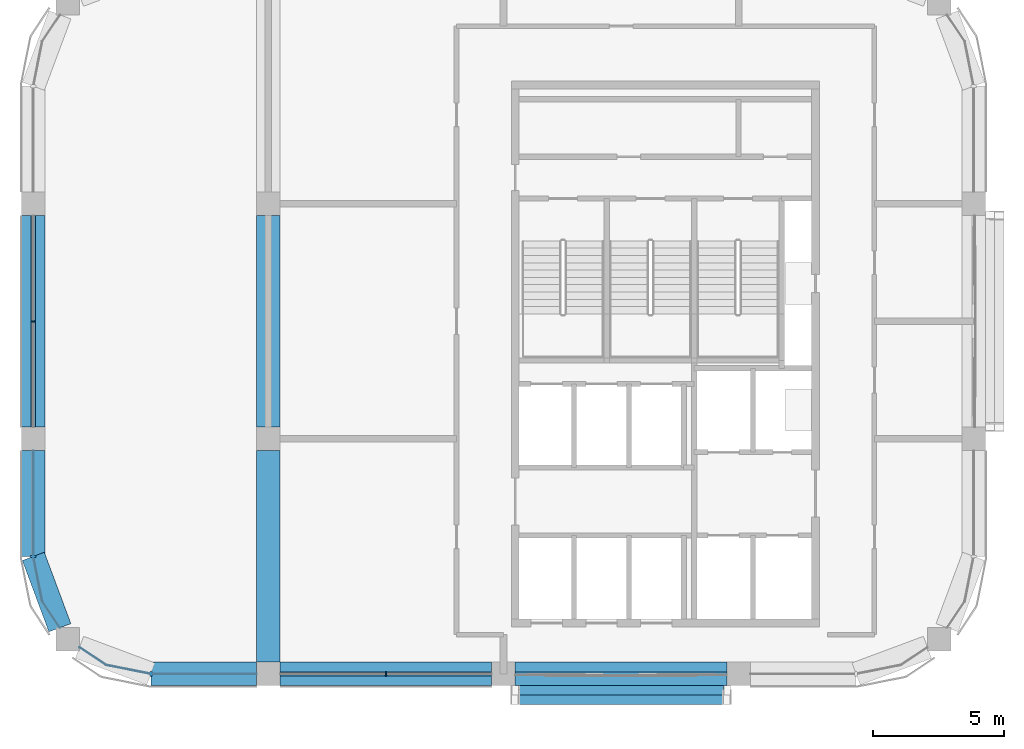
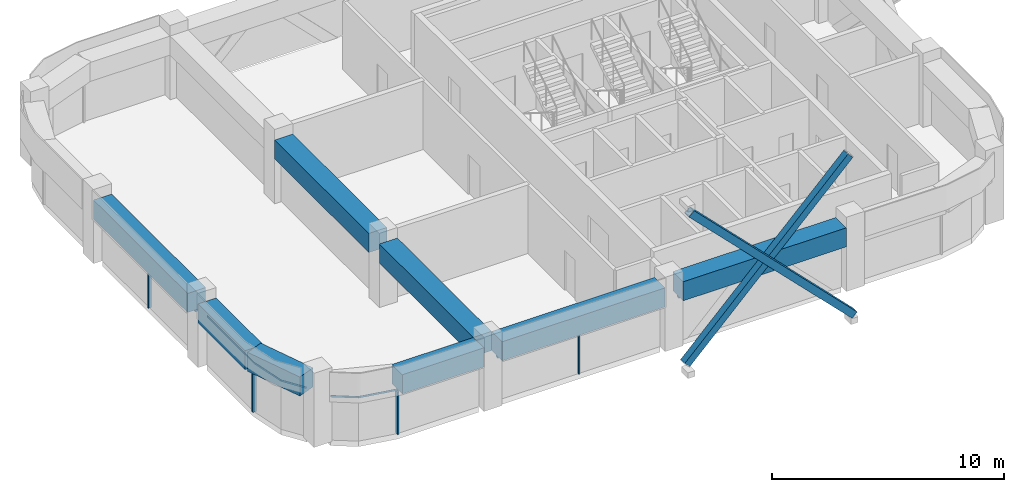
# One storey, part 2 of 9: 11 members, 8 beams, 5 elements without a shape of their own.
"""IFC4 building model written with IfcOpenShell, lengths in metres."""

from ifc_helpers import new_model, si_unit, direction, frame, origin, origin_2d, place, context, subcontext, project, spatial, polyline, rectangle, hollow_rectangle, outline, extrude, material, material_profile, profile_set, type_object, element, aggregate, save


model = new_model("IFC4")

# Units and contexts
model_context = context("Model", 3, precision=1e-05, world=origin(), true_north=direction((0.0, 1.0)))
body_context = subcontext(model_context, "Body", "Model", "MODEL_VIEW")
ifc_project = project(units=[si_unit("LENGTHUNIT", "METRE"), si_unit("AREAUNIT", "SQUARE_METRE"), si_unit("VOLUMEUNIT", "CUBIC_METRE"), si_unit("PLANEANGLEUNIT", "RADIAN"), si_unit("MASSUNIT", "GRAM", prefix="KILO")], contexts=[model_context])

# Site, building, storey
site_placement = place(None, origin())
site = spatial("IfcSite", under=ifc_project, at=site_placement, CompositionType="ELEMENT")
building_placement = place(site_placement, origin())
building = spatial("IfcBuilding", under=site, at=building_placement, Name="Tessera Arch", CompositionType="ELEMENT")
storey_placement = place(building_placement, frame((0.0, 0.0, 316.800048828125)))
storey = spatial("IfcBuildingStorey", under=building, at=storey_placement, Name="L76", CompositionType="ELEMENT", Elevation=316.800048828125)

# Members
ifc_material_1 = material(Name="Steel A500 Gr C", Category="steel")
ifc_material_profile_1 = material_profile(ifc_material_1, hollow_rectangle(XDim=0.355712890625, YDim=0.355712890625, WallThickness=0.01171875, at=origin_2d()), Name="HSS14x14x1/2")
ifc_profile_set_1 = profile_set([ifc_material_profile_1], Name="Steel A500 Gr C")
member_type_1 = type_object("IfcMemberType", Name="Brace HSS14x14x1/2 Steel A500 Gr C", PredefinedType="BRACE", material=ifc_profile_set_1)
for number, where, z_axis, x_axis, name in (
    (1, (36.449951171875, 26.372314453125, -0.800048828125), (0.704936255944, 0.0, 0.709270664173), (0.0, 1.0, 0.0), "Brace S27.18-2 A L76-L77"),
    (2, (44.550048828125, 26.0166015625, -0.800048828125), (-0.704936255944, 0.0, 0.709270664173), (0.0, -1.0, 0.0), "Brace S27.18-2 B L76-L77"),
):
    element("IfcMember", number, at=place(storey_placement, frame(where, z_axis=z_axis, x_axis=x_axis)), inside=storey, type_object=member_type_1, Name=name, PredefinedType="BRACE", context=body_context, shape_type="SweptSolid", body=[
        extrude(hollow_rectangle(XDim=0.355712890625, YDim=0.355712890625, WallThickness=0.01171875, at=origin_2d()), origin(), (0.0, 0.0, 1.0), 11.490478515625),
    ])

# Curtain wall, member
ifc_material_2 = material(Name="CW1 curtain wall")
curtain_wall_type_1 = type_object("IfcCurtainWallType", Name="CW1 curtain wall", PredefinedType="NOTDEFINED", material=ifc_material_2)
curtain_wall_1_placement = place(storey_placement, origin())
curtain_wall_1 = element("IfcCurtainWall", 3, at=curtain_wall_1_placement, inside=storey, type_object=curtain_wall_type_1, Name="CW1 curtain wall W18.27/1 L76", PredefinedType="NOTDEFINED")
ifc_material_3 = material(Name="Anodised aluminium pale metal", Category="aluminium")
ifc_material_profile_2 = material_profile(ifc_material_3, rectangle(XDim=0.159912109375, YDim=0.06005859375, at=origin_2d()), Name="AL 60x160")
ifc_profile_set_2 = profile_set([ifc_material_profile_2], Name="Anodised aluminium pale metal")
member_type_2 = type_object("IfcMemberType", Name="CW1 mullion", PredefinedType="MULLION", material=ifc_profile_set_2)
member_1_placement = place(storey_placement, frame((18.0, 40.5, 0.0), z_axis=(0.0, 0.0, 1.0), x_axis=(1.0, 0.0, 0.0)))
member_1 = element("IfcMember", 4, at=member_1_placement, type_object=member_type_2, Name="CW1 mullion W18.27/1 1", PredefinedType="MULLION", context=body_context, shape_type="SweptSolid", body=[
    extrude(rectangle(XDim=0.159912109375, YDim=0.06005859375, at=origin_2d()), origin(), (0.0, 0.0, 1.0), 2.25),
])

curtain_wall_2_placement = place(storey_placement, origin())
curtain_wall_2 = element("IfcCurtainWall", 5, at=curtain_wall_2_placement, inside=storey, type_object=curtain_wall_type_1, Name="CW1 curtain wall S27.18/1 L76", PredefinedType="NOTDEFINED")
member_2_placement = place(storey_placement, frame((31.5, 27.0, 0.0), z_axis=(0.0, 0.0, 1.0), x_axis=(0.0, 1.0, 0.0)))
member_2 = element("IfcMember", 6, at=member_2_placement, type_object=member_type_2, Name="CW1 mullion S27.18/1 1", PredefinedType="MULLION", context=body_context, shape_type="SweptSolid", body=[
    extrude(rectangle(XDim=0.159912109375, YDim=0.06005859375, at=origin_2d()), origin(), (0.0, 0.0, 1.0), 2.25),
])

# Member
ifc_material_4 = material(Name="Anodised aluminium pale metal", Category="aluminium")
ifc_material_profile_3 = material_profile(ifc_material_4, rectangle(XDim=0.159912109375, YDim=0.10009765625, at=origin_2d()), Name="AL 160x100")
ifc_profile_set_3 = profile_set([ifc_material_profile_3], Name="Anodised aluminium pale metal")
member_type_3 = type_object("IfcMemberType", Name="CW1 transom", PredefinedType="USERDEFINED", material=ifc_profile_set_3)
member_3_placement = place(storey_placement, frame((18.0, 44.550048828125, 2.300048828125), z_axis=(0.0, -1.0, 0.0), x_axis=(1.0, 0.0, 0.0)))
member_3 = element("IfcMember", 7, at=member_3_placement, type_object=member_type_3, Name="CW1 transom W18.27/1 1.1", ObjectType="TRANSOM", PredefinedType="USERDEFINED", context=body_context, shape_type="SweptSolid", body=[
    extrude(rectangle(XDim=0.159912109375, YDim=0.10009765625, at=origin_2d()), origin(), (0.0, 0.0, 1.0), 8.10009765625),
])

aggregate(curtain_wall_1, [member_1, member_3])

member_4_placement = place(storey_placement, frame((27.449951171875, 27.0, 2.300048828125), z_axis=(1.0, 0.0, 0.0), x_axis=(0.0, 1.0, 0.0)))
member_4 = element("IfcMember", 8, at=member_4_placement, type_object=member_type_3, Name="CW1 transom S27.18/1 1.1", ObjectType="TRANSOM", PredefinedType="USERDEFINED", context=body_context, shape_type="SweptSolid", body=[
    extrude(rectangle(XDim=0.159912109375, YDim=0.10009765625, at=origin_2d()), origin(), (0.0, 0.0, 1.0), 8.10009765625),
])

aggregate(curtain_wall_2, [member_2, member_4])

# Curtain wall, member
ifc_material_5 = material(Name="CW2 curtain wall")
curtain_wall_type_2 = type_object("IfcCurtainWallType", Name="CW2 curtain wall", PredefinedType="NOTDEFINED", material=ifc_material_5)
curtain_wall_3_placement = place(storey_placement, origin())
curtain_wall_3 = element("IfcCurtainWall", 9, at=curtain_wall_3_placement, inside=storey, type_object=curtain_wall_type_2, Name="CW2 curtain wall W18.27/2 L76", PredefinedType="NOTDEFINED")
ifc_material_6 = material(Name="Anodised aluminium pale metal", Category="aluminium")
ifc_material_profile_4 = material_profile(ifc_material_6, rectangle(XDim=0.199951171875, YDim=0.080078125, at=origin_2d()), Name="AL 80x200")
ifc_profile_set_4 = profile_set([ifc_material_profile_4], Name="Anodised aluminium pale metal")
member_type_4 = type_object("IfcMemberType", Name="CW2 mullion", PredefinedType="MULLION", material=ifc_profile_set_4)
member_5_placement = place(storey_placement, frame((18.0, 31.5, 0.0), z_axis=(0.0, 0.0, 1.0), x_axis=(1.0, 0.0, 0.0)))
member_5 = element("IfcMember", 10, at=member_5_placement, type_object=member_type_4, Name="CW2 mullion W18.27/2 1", PredefinedType="MULLION", context=body_context, shape_type="SweptSolid", body=[
    extrude(rectangle(XDim=0.199951171875, YDim=0.080078125, at=origin_2d()), origin(), (0.0, 0.0, 1.0), 2.5),
])

curtain_wall_4_placement = place(storey_placement, origin())
curtain_wall_4 = element("IfcCurtainWall", 11, at=curtain_wall_4_placement, inside=storey, type_object=curtain_wall_type_2, Name="CW2 curtain wall S27.18/0 L76", PredefinedType="NOTDEFINED")
member_6_placement = place(storey_placement, frame((22.5, 27.0, 0.0), z_axis=(0.0, 0.0, 1.0), x_axis=(0.0, 1.0, 0.0)))
member_6 = element("IfcMember", 12, at=member_6_placement, type_object=member_type_4, Name="CW2 mullion S27.18/0 1", PredefinedType="MULLION", context=body_context, shape_type="SweptSolid", body=[
    extrude(rectangle(XDim=0.199951171875, YDim=0.080078125, at=origin_2d()), origin(), (0.0, 0.0, 1.0), 2.25),
])

# Member
ifc_material_7 = material(Name="Anodised aluminium pale metal", Category="aluminium")
ifc_material_profile_5 = material_profile(ifc_material_7, rectangle(XDim=0.199951171875, YDim=0.10009765625, at=origin_2d()), Name="AL 200x100")
ifc_profile_set_5 = profile_set([ifc_material_profile_5], Name="Anodised aluminium pale metal")
member_type_5 = type_object("IfcMemberType", Name="CW2 transom", PredefinedType="USERDEFINED", material=ifc_profile_set_5)
member_7_placement = place(storey_placement, frame((0.0, 0.0, 2.5)))
member_7 = element("IfcMember", 13, at=member_7_placement, type_object=member_type_5, Name="CW2 transom W18.27/2 1", ObjectType="TRANSOM", PredefinedType="USERDEFINED", context=body_context, shape_type="SweptSolid", body=[
    extrude(outline(polyline([(18.010009765625, 31.5009765625), (18.010009765625, 35.550048828125), (17.989990234375, 35.550048828125), (17.989990234375, 31.4990234375), (18.3330078125, 29.77392578125), (19.009033203125, 28.762451171875), (19.025634765625, 28.7734375), (18.351806640625, 29.78173828125), (18.010009765625, 31.5009765625)])), origin(), (0.0, 0.0, 1.0), 0.099853515625),
])

aggregate(curtain_wall_3, [member_5, member_7])

member_8_placement = place(storey_placement, frame((0.0, 0.0, 2.25)))
member_8 = element("IfcMember", 14, at=member_8_placement, type_object=member_type_5, Name="CW2 transom S27.18/0 1", ObjectType="TRANSOM", PredefinedType="USERDEFINED", context=body_context, shape_type="SweptSolid", body=[
    extrude(outline(polyline([(20.78173828125, 27.351806640625), (19.7734375, 28.025634765625), (19.762451171875, 28.009033203125), (20.77392578125, 27.3330078125), (22.4990234375, 26.989990234375), (26.550048828125, 26.989990234375), (26.550048828125, 27.010009765625), (22.5009765625, 27.010009765625), (20.78173828125, 27.351806640625)])), origin(), (0.0, 0.0, 1.0), 0.099853515625),
])

aggregate(curtain_wall_4, [member_6, member_8])

# Curtain wall, member
ifc_material_8 = material(Name="CW3 curtain wall")
curtain_wall_type_3 = type_object("IfcCurtainWallType", Name="CW3 curtain wall", PredefinedType="NOTDEFINED", material=ifc_material_8)
curtain_wall_5_placement = place(storey_placement, origin())
curtain_wall_5 = element("IfcCurtainWall", 15, at=curtain_wall_5_placement, inside=storey, type_object=curtain_wall_type_3, Name="CW3 curtain wall S27.18/2 L76", PredefinedType="NOTDEFINED")
ifc_material_9 = material(Name="Anodised aluminium pale metal", Category="aluminium")
ifc_material_profile_6 = material_profile(ifc_material_9, rectangle(XDim=0.139892578125, YDim=0.10009765625, at=origin_2d()), Name="AL 140x100")
ifc_profile_set_6 = profile_set([ifc_material_profile_6], Name="Anodised aluminium pale metal")
member_type_6 = type_object("IfcMemberType", Name="CW3 transom", PredefinedType="USERDEFINED", material=ifc_profile_set_6)
member_9_placement = place(storey_placement, frame((36.449951171875, 27.0, 2.300048828125), z_axis=(1.0, 0.0, 0.0), x_axis=(0.0, 1.0, 0.0)))
member_9 = element("IfcMember", 16, at=member_9_placement, type_object=member_type_6, Name="CW3 transom S27.18/2 1.1", ObjectType="TRANSOM", PredefinedType="USERDEFINED", context=body_context, shape_type="SweptSolid", body=[
    extrude(rectangle(XDim=0.139892578125, YDim=0.10009765625, at=origin_2d()), origin(), (0.0, 0.0, 1.0), 8.10009765625),
])
aggregate(curtain_wall_5, [member_9])

# Beams
ifc_material_10 = material(Name="Concrete C50/60", Category="concrete")
ifc_material_profile_7 = material_profile(ifc_material_10, rectangle(XDim=0.89990234375, YDim=1.0, at=origin_2d()), Name="RC spandrel beam 900 x 1000 Concrete C50/60")
ifc_profile_set_7 = profile_set([ifc_material_profile_7], Name="Concrete C50/60")
beam_type = type_object("IfcBeamType", Name="RC spandrel beam 900 x 1000 Concrete C50/60", PredefinedType="BEAM", material=ifc_profile_set_7)
beam_1_placement = place(storey_placement, frame((18.0, 44.550048828125, 2.849853515625), z_axis=(0.0, -1.0, 0.0), x_axis=(1.0, 0.0, 0.0)))
element("IfcBeam", 17, at=beam_1_placement, inside=storey, type_object=beam_type, Name="Spandrel beam L76 W18.27/1", PredefinedType="BEAM", context=body_context, shape_type="SweptSolid", body=[
    extrude(rectangle(XDim=0.89990234375, YDim=1.0, at=origin_2d()), origin(), (0.0, 0.0, 1.0), 8.10009765625),
])
beam_2_placement = place(storey_placement, frame((18.0, 35.550048828125, 2.849853515625), z_axis=(0.0, -1.0, 0.0), x_axis=(1.0, 0.0, 0.0)))
element("IfcBeam", 18, at=beam_2_placement, inside=storey, type_object=beam_type, Name="Spandrel beam L76 W18.27/2.1", PredefinedType="BEAM", context=body_context, shape_type="SweptSolid", body=[
    extrude(rectangle(XDim=0.89990234375, YDim=1.0, at=origin_2d()), origin(), (0.0, 0.0, 1.0), 4.050048828125),
])
beam_3_placement = place(storey_placement, frame((18.0, 31.5, 2.849853515625), z_axis=(0.348974916509, -0.937132065211, 0.0), x_axis=(0.937132065211, 0.348974916509, 0.0)))
element("IfcBeam", 19, at=beam_3_placement, inside=storey, type_object=beam_type, Name="Spandrel beam L76 W18.27/2.2", PredefinedType="BEAM", context=body_context, shape_type="SweptSolid", body=[
    extrude(rectangle(XDim=0.89990234375, YDim=1.0, at=origin_2d()), origin(), (0.0, 0.0, 1.0), 2.915283203125),
])
beam_4_placement = place(storey_placement, frame((22.5, 27.0, 2.849853515625), z_axis=(1.0, 0.0, 0.0), x_axis=(0.0, 1.0, 0.0)))
element("IfcBeam", 20, at=beam_4_placement, inside=storey, type_object=beam_type, Name="Spandrel beam L76 S27.18/0.2", PredefinedType="BEAM", context=body_context, shape_type="SweptSolid", body=[
    extrude(rectangle(XDim=0.89990234375, YDim=1.0, at=origin_2d()), origin(), (0.0, 0.0, 1.0), 4.050048828125),
])
for number, where, z_axis, x_axis, name in (
    (21, (27.449951171875, 27.0, 2.849853515625), (1.0, 0.0, 0.0), (0.0, 1.0, 0.0), "Spandrel beam L76 S27.18/1"),
    (22, (36.449951171875, 27.0, 2.849853515625), (1.0, 0.0, 0.0), (0.0, 1.0, 0.0), "Spandrel beam L76 S27.18/2"),
    (23, (27.0, 27.449951171875, 2.849853515625), (0.0, 1.0, 0.0), (-1.0, 0.0, 0.0), "Interface beam L76 I0C4D-C4E"),
    (24, (27.0, 36.449951171875, 2.849853515625), (0.0, 1.0, 0.0), (-1.0, 0.0, 0.0), "Interface beam L76 I0C4E-C4F"),
):
    element("IfcBeam", number, at=place(storey_placement, frame(where, z_axis=z_axis, x_axis=x_axis)), inside=storey, type_object=beam_type, Name=name, PredefinedType="BEAM", context=body_context, shape_type="SweptSolid", body=[
        extrude(rectangle(XDim=0.89990234375, YDim=1.0, at=origin_2d()), origin(), (0.0, 0.0, 1.0), 8.10009765625),
    ])

save(model, "model.ifc")
